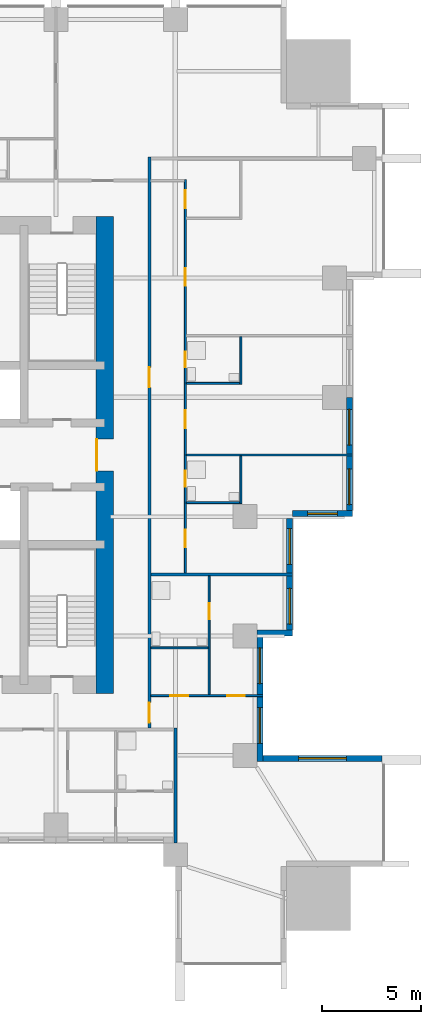
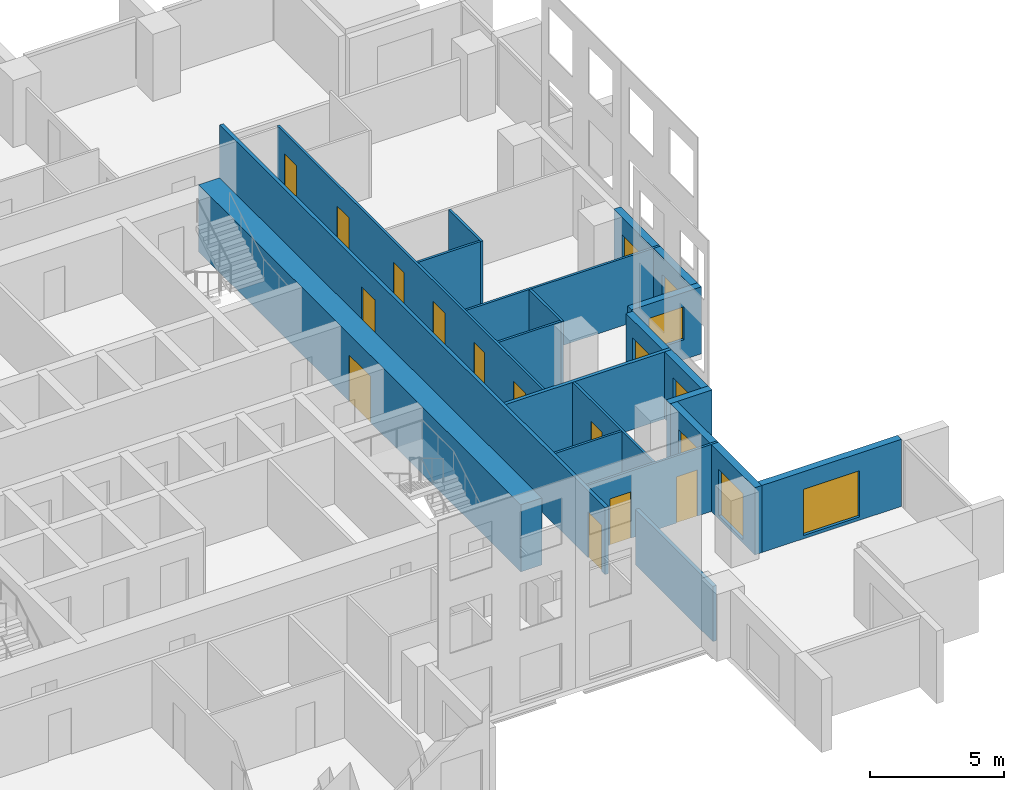
# One storey, part 6 of 11: 19 walls, 12 doors, 8 windows, 20 openings.
"""IFC4 building model written with IfcOpenShell, lengths in metres."""

from ifc_helpers import new_model, si_unit, direction, frame, frame_2d, origin, place, context, subcontext, project, spatial, rectangle, extrude, material, layer, layer_set, type_object, element, fill, save


model = new_model("IFC4")

# Units and contexts
model_context = context("Model", 3, precision=1e-05, world=origin(), true_north=direction((0.0, 1.0)))
body_context = subcontext(model_context, "Body", "Model", "MODEL_VIEW")
ifc_project = project(units=[si_unit("LENGTHUNIT", "METRE"), si_unit("AREAUNIT", "SQUARE_METRE"), si_unit("VOLUMEUNIT", "CUBIC_METRE"), si_unit("PLANEANGLEUNIT", "RADIAN"), si_unit("MASSUNIT", "GRAM", prefix="KILO")], contexts=[model_context])

# Site, building, storey
site_placement = place(None, origin())
site = spatial("IfcSite", under=ifc_project, at=site_placement, CompositionType="ELEMENT")
building_placement = place(site_placement, origin())
building = spatial("IfcBuilding", under=site, at=building_placement, Name="Amberfall Residences", CompositionType="ELEMENT")
storey_placement = place(building_placement, frame((0.0, 0.0, 43.300048828125)))
storey = spatial("IfcBuildingStorey", under=building, at=storey_placement, Name="L11", CompositionType="ELEMENT", Elevation=43.300048828125)

# Wall, opening, window
ifc_material_1 = material(Name="Pale stone cladding on insulated backing", Category="masonry")
ifc_layer_1 = layer(ifc_material_1, 0.300048828125)
ifc_layer_set_1 = layer_set([ifc_layer_1], Name="Bronze clad wall 300")
wall_type_1 = type_object("IfcWallType", Name="Bronze clad wall 300", PredefinedType="SOLIDWALL", material=ifc_layer_set_1)
wall_1_placement = place(storey_placement, frame((100.0, 30.25, 0.0), z_axis=(0.0, 0.0, 1.0), x_axis=(-1.0, 0.0, 0.0)))
wall_1 = element("IfcWall", 1, at=wall_1_placement, inside=storey, type_object=wall_type_1, Name="External wall L11 E", PredefinedType="SOLIDWALL", context=body_context, shape_type="SweptSolid", body=[
    extrude(rectangle(XDim=6.0, YDim=0.300048828125, at=frame_2d((3.0, 0.0))), origin(), (0.0, 0.0, 1.0), 3.050048828125),
])
opening_1_placement = place(wall_1_placement, frame((1.800048828125, 0.0, 0.14990234375)))
opening_1 = element("IfcOpeningElement", 2, at=opening_1_placement, cuts=wall_1, Name="Opening WN5", PredefinedType="OPENING", context=body_context, shape_type="SweptSolid", body=[
    extrude(rectangle(XDim=2.39990234375, YDim=2.10009765625, at=frame_2d((1.199951171875, 1.050048828125))), frame((0.0, 0.159912109375, 0.0), z_axis=(0.0, -1.0, 0.0), x_axis=(1.0, 0.0, 0.0)), (0.0, 0.0, 1.0), 0.320068359375),
])
ifc_material_2 = material(Name="Bronze aluminium framed glazing", Category="aluminium")
window_type_1 = type_object("IfcWindowType", Name="Glazed opening 2400 x 2100 bronze", PartitioningType="DOUBLE_PANEL_VERTICAL", PredefinedType="WINDOW", material=ifc_material_2)
window_1_placement = place(opening_1_placement, origin())
window_1 = element("IfcWindow", 3, at=window_1_placement, inside=storey, type_object=window_type_1, Name="Window L11 E", OverallHeight=2.10009765625, OverallWidth=2.39990234375, PartitioningType="DOUBLE_PANEL_VERTICAL", PredefinedType="WINDOW", context=body_context, shape_type="SweptSolid", body=[
    extrude(rectangle(XDim=2.39990234375, YDim=2.10009765625, at=frame_2d((1.199951171875, 1.050048828125))), frame((0.0, 0.030029296875, 0.0), z_axis=(0.0, -1.0, 0.0), x_axis=(1.0, 0.0, 0.0)), (0.0, 0.0, 1.0), 0.06005859375),
])
fill(opening_1, window_1)

# Wall
wall_2_placement = place(storey_placement, frame((93.699951171875, 36.550048828125, 0.0), z_axis=(0.0, 0.0, 1.0), x_axis=(1.0, 0.0, 0.0)))
element("IfcWall", 4, at=wall_2_placement, inside=storey, type_object=wall_type_1, Name="External wall L11 E", PredefinedType="SOLIDWALL", context=body_context, shape_type="SweptSolid", body=[
    extrude(rectangle(XDim=1.800048828125, YDim=0.300048828125, at=frame_2d((0.89990234375, 0.0))), origin(), (0.0, 0.0, 1.0), 3.050048828125),
])

# Wall, opening, window
wall_3_placement = place(storey_placement, frame((95.5, 42.550048828125, 0.0), z_axis=(0.0, 0.0, 1.0), x_axis=(1.0, 0.0, 0.0)))
wall_3 = element("IfcWall", 5, at=wall_3_placement, inside=storey, type_object=wall_type_1, Name="External wall L11 E", PredefinedType="SOLIDWALL", context=body_context, shape_type="SweptSolid", body=[
    extrude(rectangle(XDim=3.0, YDim=0.300048828125, at=frame_2d((1.5, 0.0))), origin(), (0.0, 0.0, 1.0), 3.050048828125),
])
opening_2_placement = place(wall_3_placement, frame((0.75, 0.0, 0.89990234375)))
opening_2 = element("IfcOpeningElement", 6, at=opening_2_placement, cuts=wall_3, Name="Opening WN1", PredefinedType="OPENING", context=body_context, shape_type="SweptSolid", body=[
    extrude(rectangle(XDim=1.5, YDim=1.5, at=frame_2d((0.75, 0.75))), frame((0.0, 0.159912109375, 0.0), z_axis=(0.0, -1.0, 0.0), x_axis=(1.0, 0.0, 0.0)), (0.0, 0.0, 1.0), 0.320068359375),
])
window_type_2 = type_object("IfcWindowType", Name="Window 1500 x 1500 bronze", PartitioningType="DOUBLE_PANEL_VERTICAL", PredefinedType="WINDOW", material=ifc_material_2)
window_2_placement = place(opening_2_placement, origin())
window_2 = element("IfcWindow", 7, at=window_2_placement, inside=storey, type_object=window_type_2, Name="Window L11 E", OverallHeight=1.5, OverallWidth=1.5, PartitioningType="DOUBLE_PANEL_VERTICAL", PredefinedType="WINDOW", context=body_context, shape_type="SweptSolid", body=[
    extrude(rectangle(XDim=1.5, YDim=1.5, at=frame_2d((0.75, 0.75))), frame((0.0, 0.030029296875, 0.0), z_axis=(0.0, -1.0, 0.0), x_axis=(1.0, 0.0, 0.0)), (0.0, 0.0, 1.0), 0.06005859375),
])
fill(opening_2, window_2)

# Wall, openings, windows
wall_4_placement = place(storey_placement, frame((93.85009765625, 30.10009765625, 0.0), z_axis=(0.0, 0.0, 1.0), x_axis=(0.0, 1.0, 0.0)))
wall_4 = element("IfcWall", 8, at=wall_4_placement, inside=storey, type_object=wall_type_1, Name="Stone wall L11 E", PredefinedType="SOLIDWALL", context=body_context, shape_type="SweptSolid", body=[
    extrude(rectangle(XDim=6.2998046875, YDim=0.300048828125, at=frame_2d((3.14990234375, 0.0))), origin(), (0.0, 0.0, 1.0), 3.050048828125),
])
opening_3_placement = place(wall_4_placement, frame((0.89990234375, 0.0, 0.14990234375)))
opening_3 = element("IfcOpeningElement", 9, at=opening_3_placement, cuts=wall_4, Name="Opening WN6", PredefinedType="OPENING", context=body_context, shape_type="SweptSolid", body=[
    extrude(rectangle(XDim=1.800048828125, YDim=2.10009765625, at=frame_2d((0.89990234375, 1.050048828125))), frame((0.0, 0.159912109375, 0.0), z_axis=(0.0, -1.0, 0.0), x_axis=(1.0, 0.0, 0.0)), (0.0, 0.0, 1.0), 0.320068359375),
])
opening_4_placement = place(wall_4_placement, frame((3.89990234375, 0.0, 0.14990234375)))
opening_4 = element("IfcOpeningElement", 10, at=opening_4_placement, cuts=wall_4, Name="Opening WN6", PredefinedType="OPENING", context=body_context, shape_type="SweptSolid", body=[
    extrude(rectangle(XDim=1.800048828125, YDim=2.10009765625, at=frame_2d((0.89990234375, 1.050048828125))), frame((0.0, 0.159912109375, 0.0), z_axis=(0.0, -1.0, 0.0), x_axis=(1.0, 0.0, 0.0)), (0.0, 0.0, 1.0), 0.320068359375),
])
window_type_3 = type_object("IfcWindowType", Name="Glazed opening 1800 x 2100 bronze", PartitioningType="DOUBLE_PANEL_VERTICAL", PredefinedType="WINDOW", material=ifc_material_2)
window_3_placement = place(opening_3_placement, origin())
window_3 = element("IfcWindow", 11, at=window_3_placement, inside=storey, type_object=window_type_3, Name="Window L11 E", OverallHeight=2.10009765625, OverallWidth=1.800048828125, PartitioningType="DOUBLE_PANEL_VERTICAL", PredefinedType="WINDOW", context=body_context, shape_type="SweptSolid", body=[
    extrude(rectangle(XDim=1.800048828125, YDim=2.10009765625, at=frame_2d((0.89990234375, 1.050048828125))), frame((0.0, 0.030029296875, 0.0), z_axis=(0.0, -1.0, 0.0), x_axis=(1.0, 0.0, 0.0)), (0.0, 0.0, 1.0), 0.06005859375),
])
fill(opening_3, window_3)
window_4_placement = place(opening_4_placement, origin())
window_4 = element("IfcWindow", 12, at=window_4_placement, inside=storey, type_object=window_type_3, Name="Window L11 E", OverallHeight=2.10009765625, OverallWidth=1.800048828125, PartitioningType="DOUBLE_PANEL_VERTICAL", PredefinedType="WINDOW", context=body_context, shape_type="SweptSolid", body=[
    extrude(rectangle(XDim=1.800048828125, YDim=2.10009765625, at=frame_2d((0.89990234375, 1.050048828125))), frame((0.0, 0.030029296875, 0.0), z_axis=(0.0, -1.0, 0.0), x_axis=(1.0, 0.0, 0.0)), (0.0, 0.0, 1.0), 0.06005859375),
])
fill(opening_4, window_4)

wall_5_placement = place(storey_placement, frame((95.35009765625, 36.699951171875, 0.0), z_axis=(0.0, 0.0, 1.0), x_axis=(0.0, 1.0, 0.0)))
wall_5 = element("IfcWall", 13, at=wall_5_placement, inside=storey, type_object=wall_type_1, Name="Stone wall L11 E", PredefinedType="SOLIDWALL", context=body_context, shape_type="SweptSolid", body=[
    extrude(rectangle(XDim=5.610107421875, YDim=0.300048828125, at=frame_2d((2.80517578125, 0.0))), origin(), (0.0, 0.0, 1.0), 3.050048828125),
])
opening_5_placement = place(wall_5_placement, frame((0.300048828125, 0.0, 0.14990234375)))
opening_5 = element("IfcOpeningElement", 14, at=opening_5_placement, cuts=wall_5, Name="Opening WN6", PredefinedType="OPENING", context=body_context, shape_type="SweptSolid", body=[
    extrude(rectangle(XDim=1.800048828125, YDim=2.10009765625, at=frame_2d((0.89990234375, 1.050048828125))), frame((0.0, 0.159912109375, 0.0), z_axis=(0.0, -1.0, 0.0), x_axis=(1.0, 0.0, 0.0)), (0.0, 0.0, 1.0), 0.320068359375),
])
opening_6_placement = place(wall_5_placement, frame((3.300048828125, 0.0, 0.14990234375)))
opening_6 = element("IfcOpeningElement", 15, at=opening_6_placement, cuts=wall_5, Name="Opening WN6", PredefinedType="OPENING", context=body_context, shape_type="SweptSolid", body=[
    extrude(rectangle(XDim=1.800048828125, YDim=2.10009765625, at=frame_2d((0.89990234375, 1.050048828125))), frame((0.0, 0.159912109375, 0.0), z_axis=(0.0, -1.0, 0.0), x_axis=(1.0, 0.0, 0.0)), (0.0, 0.0, 1.0), 0.320068359375),
])
window_5_placement = place(opening_5_placement, origin())
window_5 = element("IfcWindow", 16, at=window_5_placement, inside=storey, type_object=window_type_3, Name="Window L11 E", OverallHeight=2.10009765625, OverallWidth=1.800048828125, PartitioningType="DOUBLE_PANEL_VERTICAL", PredefinedType="WINDOW", context=body_context, shape_type="SweptSolid", body=[
    extrude(rectangle(XDim=1.800048828125, YDim=2.10009765625, at=frame_2d((0.89990234375, 1.050048828125))), frame((0.0, 0.030029296875, 0.0), z_axis=(0.0, -1.0, 0.0), x_axis=(1.0, 0.0, 0.0)), (0.0, 0.0, 1.0), 0.06005859375),
])
fill(opening_5, window_5)
window_6_placement = place(opening_6_placement, origin())
window_6 = element("IfcWindow", 17, at=window_6_placement, inside=storey, type_object=window_type_3, Name="Window L11 E", OverallHeight=2.10009765625, OverallWidth=1.800048828125, PartitioningType="DOUBLE_PANEL_VERTICAL", PredefinedType="WINDOW", context=body_context, shape_type="SweptSolid", body=[
    extrude(rectangle(XDim=1.800048828125, YDim=2.10009765625, at=frame_2d((0.89990234375, 1.050048828125))), frame((0.0, 0.030029296875, 0.0), z_axis=(0.0, -1.0, 0.0), x_axis=(1.0, 0.0, 0.0)), (0.0, 0.0, 1.0), 0.06005859375),
])
fill(opening_6, window_6)

wall_6_placement = place(storey_placement, frame((98.35009765625, 42.699951171875, 0.0), z_axis=(0.0, 0.0, 1.0), x_axis=(0.0, 1.0, 0.0)))
wall_6 = element("IfcWall", 18, at=wall_6_placement, inside=storey, type_object=wall_type_1, Name="Stone wall L11 E", PredefinedType="SOLIDWALL", context=body_context, shape_type="SweptSolid", body=[
    extrude(rectangle(XDim=5.699951171875, YDim=0.300048828125, at=frame_2d((2.85009765625, 0.0))), origin(), (0.0, 0.0, 1.0), 3.050048828125),
])
opening_7_placement = place(wall_6_placement, frame((0.300048828125, 0.0, 0.14990234375)))
opening_7 = element("IfcOpeningElement", 19, at=opening_7_placement, cuts=wall_6, Name="Opening WN6", PredefinedType="OPENING", context=body_context, shape_type="SweptSolid", body=[
    extrude(rectangle(XDim=1.800048828125, YDim=2.10009765625, at=frame_2d((0.89990234375, 1.050048828125))), frame((0.0, 0.159912109375, 0.0), z_axis=(0.0, -1.0, 0.0), x_axis=(1.0, 0.0, 0.0)), (0.0, 0.0, 1.0), 0.320068359375),
])
opening_8_placement = place(wall_6_placement, frame((3.300048828125, 0.0, 0.14990234375)))
opening_8 = element("IfcOpeningElement", 20, at=opening_8_placement, cuts=wall_6, Name="Opening WN6", PredefinedType="OPENING", context=body_context, shape_type="SweptSolid", body=[
    extrude(rectangle(XDim=1.800048828125, YDim=2.10009765625, at=frame_2d((0.89990234375, 1.050048828125))), frame((0.0, 0.159912109375, 0.0), z_axis=(0.0, -1.0, 0.0), x_axis=(1.0, 0.0, 0.0)), (0.0, 0.0, 1.0), 0.320068359375),
])
window_7_placement = place(opening_7_placement, origin())
window_7 = element("IfcWindow", 21, at=window_7_placement, inside=storey, type_object=window_type_3, Name="Window L11 E", OverallHeight=2.10009765625, OverallWidth=1.800048828125, PartitioningType="DOUBLE_PANEL_VERTICAL", PredefinedType="WINDOW", context=body_context, shape_type="SweptSolid", body=[
    extrude(rectangle(XDim=1.800048828125, YDim=2.10009765625, at=frame_2d((0.89990234375, 1.050048828125))), frame((0.0, 0.030029296875, 0.0), z_axis=(0.0, -1.0, 0.0), x_axis=(1.0, 0.0, 0.0)), (0.0, 0.0, 1.0), 0.06005859375),
])
fill(opening_7, window_7)
window_8_placement = place(opening_8_placement, origin())
window_8 = element("IfcWindow", 22, at=window_8_placement, inside=storey, type_object=window_type_3, Name="Window L11 E", OverallHeight=2.10009765625, OverallWidth=1.800048828125, PartitioningType="DOUBLE_PANEL_VERTICAL", PredefinedType="WINDOW", context=body_context, shape_type="SweptSolid", body=[
    extrude(rectangle(XDim=1.800048828125, YDim=2.10009765625, at=frame_2d((0.89990234375, 1.050048828125))), frame((0.0, 0.030029296875, 0.0), z_axis=(0.0, -1.0, 0.0), x_axis=(1.0, 0.0, 0.0)), (0.0, 0.0, 1.0), 0.06005859375),
])
fill(opening_8, window_8)

# Wall, opening, door
ifc_material_3 = material(Name="Concrete C80", Category="concrete")
ifc_layer_2 = layer(ifc_material_3, 0.89990234375)
ifc_layer_set_2 = layer_set([ifc_layer_2], Name="Core wall 900 C80")
wall_type_2 = type_object("IfcWallType", Name="Core wall 900 C80", PredefinedType="SHEAR", material=ifc_layer_set_2)
wall_7_placement = place(storey_placement, frame((86.050048828125, 33.5, 0.0), z_axis=(0.0, 0.0, 1.0), x_axis=(0.0, 1.0, 0.0)))
wall_7 = element("IfcWall", 23, at=wall_7_placement, inside=storey, type_object=wall_type_2, Name="Core wall RW1 L11 OE", PredefinedType="SHEAR", context=body_context, shape_type="SweptSolid", body=[
    extrude(rectangle(XDim=24.0, YDim=0.89990234375, at=frame_2d((12.0, 0.0))), origin(), (0.0, 0.0, 1.0), 3.050048828125),
])
opening_9_placement = place(wall_7_placement, frame((11.199951171875, 0.0, 0.0)))
opening_9 = element("IfcOpeningElement", 24, at=opening_9_placement, cuts=wall_7, Name="Opening LB1", PredefinedType="OPENING", context=body_context, shape_type="SweptSolid", body=[
    extrude(rectangle(XDim=1.60009765625, YDim=2.10009765625, at=frame_2d((0.800048828125, 1.050048828125))), frame((0.0, 0.4599609375, 0.0), z_axis=(0.0, -1.0, 0.0), x_axis=(1.0, 0.0, 0.0)), (0.0, 0.0, 1.0), 0.919921875),
])
ifc_material_4 = material(Name="Steel fire door set", Category="steel")
door_type_1 = type_object("IfcDoorType", Name="Lift lobby double door 1600 x 2100", OperationType="DOUBLE_DOOR_SINGLE_SWING", PredefinedType="DOOR", material=ifc_material_4)
door_1_placement = place(opening_9_placement, origin())
door_1 = element("IfcDoor", 25, at=door_1_placement, inside=storey, type_object=door_type_1, Name="LB1 L11", OperationType="DOUBLE_DOOR_SINGLE_SWING", OverallHeight=2.10009765625, OverallWidth=1.60009765625, PredefinedType="DOOR", context=body_context, shape_type="SweptSolid", body=[
    extrude(rectangle(XDim=1.60009765625, YDim=2.10009765625, at=frame_2d((0.800048828125, 1.050048828125))), frame((0.0, 0.4375, 0.0), z_axis=(0.0, -1.0, 0.0), x_axis=(1.0, 0.0, 0.0)), (0.0, 0.0, 1.0), 0.050048828125),
])
fill(opening_9, door_1)

# Wall, openings, doors
ifc_material_5 = material(Name="Gypsum board on metal stud")
ifc_layer_3 = layer(ifc_material_5, 0.10009765625)
ifc_layer_set_3 = layer_set([ifc_layer_3], Name="Flat partition 100")
wall_type_3 = type_object("IfcWallType", Name="Flat partition 100", PredefinedType="PARTITIONING", material=ifc_layer_set_3)
wall_8_placement = place(storey_placement, frame((90.10009765625, 59.35009765625, 0.0), z_axis=(0.0, 0.0, 1.0), x_axis=(0.0, -1.0, 0.0)))
wall_8 = element("IfcWall", 26, at=wall_8_placement, inside=storey, type_object=wall_type_3, Name="Partition 019", PredefinedType="PARTITIONING", context=body_context, shape_type="SweptSolid", body=[
    extrude(rectangle(XDim=19.775146484375, YDim=0.10009765625, at=frame_2d((9.8876953125, 0.0))), origin(), (0.0, 0.0, 1.0), 3.050048828125),
])
opening_10_placement = place(wall_8_placement, frame((4.449951171875, 0.0, 0.0)))
opening_10 = element("IfcOpeningElement", 27, at=opening_10_placement, cuts=wall_8, Name="Opening D41", PredefinedType="OPENING", context=body_context, shape_type="SweptSolid", body=[
    extrude(rectangle(XDim=0.89990234375, YDim=2.10009765625, at=frame_2d((0.449951171875, 1.050048828125))), frame((0.0, 0.06005859375, 0.0), z_axis=(0.0, -1.0, 0.0), x_axis=(1.0, 0.0, 0.0)), (0.0, 0.0, 1.0), 0.1201171875),
])
opening_11_placement = place(wall_8_placement, frame((0.550048828125, 0.0, 0.0)))
opening_11 = element("IfcOpeningElement", 28, at=opening_11_placement, cuts=wall_8, Name="Opening D41", PredefinedType="OPENING", context=body_context, shape_type="SweptSolid", body=[
    extrude(rectangle(XDim=0.89990234375, YDim=2.10009765625, at=frame_2d((0.449951171875, 1.050048828125))), frame((0.0, 0.06005859375, 0.0), z_axis=(0.0, -1.0, 0.0), x_axis=(1.0, 0.0, 0.0)), (0.0, 0.0, 1.0), 0.1201171875),
])
opening_12_placement = place(wall_8_placement, frame((17.60009765625, 0.0, 0.0)))
opening_12 = element("IfcOpeningElement", 29, at=opening_12_placement, cuts=wall_8, Name="Opening D41", PredefinedType="OPENING", context=body_context, shape_type="SweptSolid", body=[
    extrude(rectangle(XDim=0.89990234375, YDim=2.10009765625, at=frame_2d((0.449951171875, 1.050048828125))), frame((0.0, 0.06005859375, 0.0), z_axis=(0.0, -1.0, 0.0), x_axis=(1.0, 0.0, 0.0)), (0.0, 0.0, 1.0), 0.1201171875),
])
opening_13_placement = place(wall_8_placement, frame((11.60009765625, 0.0, 0.0)))
opening_13 = element("IfcOpeningElement", 30, at=opening_13_placement, cuts=wall_8, Name="Opening D41", PredefinedType="OPENING", context=body_context, shape_type="SweptSolid", body=[
    extrude(rectangle(XDim=0.89990234375, YDim=2.10009765625, at=frame_2d((0.449951171875, 1.050048828125))), frame((0.0, 0.06005859375, 0.0), z_axis=(0.0, -1.0, 0.0), x_axis=(1.0, 0.0, 0.0)), (0.0, 0.0, 1.0), 0.1201171875),
])
opening_14_placement = place(wall_8_placement, frame((14.64990234375, 0.0, 0.0)))
opening_14 = element("IfcOpeningElement", 31, at=opening_14_placement, cuts=wall_8, Name="Opening D42", PredefinedType="OPENING", context=body_context, shape_type="SweptSolid", body=[
    extrude(rectangle(XDim=0.800048828125, YDim=2.10009765625, at=frame_2d((0.39990234375, 1.050048828125))), frame((0.0, 0.06005859375, 0.0), z_axis=(0.0, -1.0, 0.0), x_axis=(1.0, 0.0, 0.0)), (0.0, 0.0, 1.0), 0.1201171875),
])
opening_15_placement = place(wall_8_placement, frame((8.64990234375, 0.0, 0.0)))
opening_15 = element("IfcOpeningElement", 32, at=opening_15_placement, cuts=wall_8, Name="Opening D42", PredefinedType="OPENING", context=body_context, shape_type="SweptSolid", body=[
    extrude(rectangle(XDim=0.800048828125, YDim=2.10009765625, at=frame_2d((0.39990234375, 1.050048828125))), frame((0.0, 0.06005859375, 0.0), z_axis=(0.0, -1.0, 0.0), x_axis=(1.0, 0.0, 0.0)), (0.0, 0.0, 1.0), 0.1201171875),
])
ifc_material_6 = material(Name="Timber", Category="wood")
door_type_2 = type_object("IfcDoorType", Name="Bathroom door 800 x 2100", OperationType="SINGLE_SWING_LEFT", PredefinedType="DOOR", material=ifc_material_6)
door_2_placement = place(opening_14_placement, origin())
door_2 = element("IfcDoor", 33, at=door_2_placement, inside=storey, type_object=door_type_2, Name="Door 1104 bath1", OperationType="SINGLE_SWING_LEFT", OverallHeight=2.10009765625, OverallWidth=0.800048828125, PredefinedType="DOOR", context=body_context, shape_type="SweptSolid", body=[
    extrude(rectangle(XDim=0.800048828125, YDim=2.10009765625, at=frame_2d((0.39990234375, 1.050048828125))), frame((0.0, 0.02490234375, 0.0), z_axis=(0.0, -1.0, 0.0), x_axis=(1.0, 0.0, 0.0)), (0.0, 0.0, 1.0), 0.050048828125),
])
fill(opening_14, door_2)
door_3_placement = place(opening_15_placement, origin())
door_3 = element("IfcDoor", 34, at=door_3_placement, inside=storey, type_object=door_type_2, Name="Door 1104 bath2", OperationType="SINGLE_SWING_LEFT", OverallHeight=2.10009765625, OverallWidth=0.800048828125, PredefinedType="DOOR", context=body_context, shape_type="SweptSolid", body=[
    extrude(rectangle(XDim=0.800048828125, YDim=2.10009765625, at=frame_2d((0.39990234375, 1.050048828125))), frame((0.0, 0.02490234375, 0.0), z_axis=(0.0, -1.0, 0.0), x_axis=(1.0, 0.0, 0.0)), (0.0, 0.0, 1.0), 0.050048828125),
])
fill(opening_15, door_3)
door_type_3 = type_object("IfcDoorType", Name="Internal door 900 x 2100", OperationType="SINGLE_SWING_LEFT", PredefinedType="DOOR", material=ifc_material_6)
door_4_placement = place(opening_10_placement, origin())
door_4 = element("IfcDoor", 35, at=door_4_placement, inside=storey, type_object=door_type_3, Name="Door 1104 living", OperationType="SINGLE_SWING_LEFT", OverallHeight=2.10009765625, OverallWidth=0.89990234375, PredefinedType="DOOR", context=body_context, shape_type="SweptSolid", body=[
    extrude(rectangle(XDim=0.89990234375, YDim=2.10009765625, at=frame_2d((0.449951171875, 1.050048828125))), frame((0.0, 0.02490234375, 0.0), z_axis=(0.0, -1.0, 0.0), x_axis=(1.0, 0.0, 0.0)), (0.0, 0.0, 1.0), 0.050048828125),
])
fill(opening_10, door_4)
door_5_placement = place(opening_11_placement, origin())
door_5 = element("IfcDoor", 36, at=door_5_placement, inside=storey, type_object=door_type_3, Name="Door 1104 kitchen", OperationType="SINGLE_SWING_LEFT", OverallHeight=2.10009765625, OverallWidth=0.89990234375, PredefinedType="DOOR", context=body_context, shape_type="SweptSolid", body=[
    extrude(rectangle(XDim=0.89990234375, YDim=2.10009765625, at=frame_2d((0.449951171875, 1.050048828125))), frame((0.0, 0.02490234375, 0.0), z_axis=(0.0, -1.0, 0.0), x_axis=(1.0, 0.0, 0.0)), (0.0, 0.0, 1.0), 0.050048828125),
])
fill(opening_11, door_5)
door_6_placement = place(opening_12_placement, origin())
door_6 = element("IfcDoor", 37, at=door_6_placement, inside=storey, type_object=door_type_3, Name="Door 1104 bedroom1", OperationType="SINGLE_SWING_LEFT", OverallHeight=2.10009765625, OverallWidth=0.89990234375, PredefinedType="DOOR", context=body_context, shape_type="SweptSolid", body=[
    extrude(rectangle(XDim=0.89990234375, YDim=2.10009765625, at=frame_2d((0.449951171875, 1.050048828125))), frame((0.0, 0.02490234375, 0.0), z_axis=(0.0, -1.0, 0.0), x_axis=(1.0, 0.0, 0.0)), (0.0, 0.0, 1.0), 0.050048828125),
])
fill(opening_12, door_6)
door_7_placement = place(opening_13_placement, origin())
door_7 = element("IfcDoor", 38, at=door_7_placement, inside=storey, type_object=door_type_3, Name="Door 1104 bedroom2", OperationType="SINGLE_SWING_LEFT", OverallHeight=2.10009765625, OverallWidth=0.89990234375, PredefinedType="DOOR", context=body_context, shape_type="SweptSolid", body=[
    extrude(rectangle(XDim=0.89990234375, YDim=2.10009765625, at=frame_2d((0.449951171875, 1.050048828125))), frame((0.0, 0.02490234375, 0.0), z_axis=(0.0, -1.0, 0.0), x_axis=(1.0, 0.0, 0.0)), (0.0, 0.0, 1.0), 0.050048828125),
])
fill(opening_13, door_7)

# Wall, opening, door
wall_9_placement = place(storey_placement, frame((91.300048828125, 33.449951171875, 0.0), z_axis=(0.0, 0.0, 1.0), x_axis=(0.0, 1.0, 0.0)))
wall_9 = element("IfcWall", 39, at=wall_9_placement, inside=storey, type_object=wall_type_3, Name="Partition 020", PredefinedType="PARTITIONING", context=body_context, shape_type="SweptSolid", body=[
    extrude(rectangle(XDim=5.97509765625, YDim=0.10009765625, at=frame_2d((2.987548828125, 0.0))), origin(), (0.0, 0.0, 1.0), 3.050048828125),
])
opening_16_placement = place(wall_9_placement, frame((3.800048828125, 0.0, 0.0)))
opening_16 = element("IfcOpeningElement", 40, at=opening_16_placement, cuts=wall_9, Name="Opening D42", PredefinedType="OPENING", context=body_context, shape_type="SweptSolid", body=[
    extrude(rectangle(XDim=0.800048828125, YDim=2.10009765625, at=frame_2d((0.39990234375, 1.050048828125))), frame((0.0, 0.06005859375, 0.0), z_axis=(0.0, -1.0, 0.0), x_axis=(1.0, 0.0, 0.0)), (0.0, 0.0, 1.0), 0.1201171875),
])
door_8_placement = place(opening_16_placement, origin())
door_8 = element("IfcDoor", 41, at=door_8_placement, inside=storey, type_object=door_type_2, Name="Door 1103 bath1", OperationType="SINGLE_SWING_LEFT", OverallHeight=2.10009765625, OverallWidth=0.800048828125, PredefinedType="DOOR", context=body_context, shape_type="SweptSolid", body=[
    extrude(rectangle(XDim=0.800048828125, YDim=2.10009765625, at=frame_2d((0.39990234375, 1.050048828125))), frame((0.0, 0.02490234375, 0.0), z_axis=(0.0, -1.0, 0.0), x_axis=(1.0, 0.0, 0.0)), (0.0, 0.0, 1.0), 0.050048828125),
])
fill(opening_16, door_8)

# Walls
for number, where, z_axis, x_axis, name in (
    (42, (92.89990234375, 43.050048828125, 0.0), (0.0, 0.0, 1.0), (0.0, 1.0, 0.0), "Partition 021"),
    (43, (92.89990234375, 49.050048828125, 0.0), (0.0, 0.0, 1.0), (0.0, 1.0, 0.0), "Partition 022"),
):
    element("IfcWall", number, at=place(storey_placement, frame(where, z_axis=z_axis, x_axis=x_axis)), inside=storey, type_object=wall_type_3, Name=name, PredefinedType="PARTITIONING", context=body_context, shape_type="SweptSolid", body=[
        extrude(rectangle(XDim=2.39990234375, YDim=0.10009765625, at=frame_2d((1.199951171875, 0.0))), origin(), (0.0, 0.0, 1.0), 3.050048828125),
    ])
wall_10_placement = place(storey_placement, frame((90.14990234375, 49.10009765625, 0.0), z_axis=(0.0, 0.0, 1.0), x_axis=(1.0, 0.0, 0.0)))
element("IfcWall", 44, at=wall_10_placement, inside=storey, type_object=wall_type_3, Name="Partition 034", PredefinedType="PARTITIONING", context=body_context, shape_type="SweptSolid", body=[
    extrude(rectangle(XDim=2.7001953125, YDim=0.10009765625, at=frame_2d((1.35009765625, 0.0))), origin(), (0.0, 0.0, 1.0), 3.050048828125),
])
wall_11_placement = place(storey_placement, frame((90.14990234375, 45.5, 0.0), z_axis=(0.0, 0.0, 1.0), x_axis=(1.0, 0.0, 0.0)))
element("IfcWall", 45, at=wall_11_placement, inside=storey, type_object=wall_type_3, Name="Partition 035", PredefinedType="PARTITIONING", context=body_context, shape_type="SweptSolid", body=[
    extrude(rectangle(XDim=8.35009765625, YDim=0.10009765625, at=frame_2d((4.175048828125, 0.0))), origin(), (0.0, 0.0, 1.0), 3.050048828125),
])
wall_12_placement = place(storey_placement, frame((90.14990234375, 43.10009765625, 0.0), z_axis=(0.0, 0.0, 1.0), x_axis=(1.0, 0.0, 0.0)))
element("IfcWall", 46, at=wall_12_placement, inside=storey, type_object=wall_type_3, Name="Partition 037", PredefinedType="PARTITIONING", context=body_context, shape_type="SweptSolid", body=[
    extrude(rectangle(XDim=2.7001953125, YDim=0.10009765625, at=frame_2d((1.35009765625, 0.0))), origin(), (0.0, 0.0, 1.0), 3.050048828125),
])
wall_13_placement = place(storey_placement, frame((88.375, 35.800048828125, 0.0), z_axis=(0.0, 0.0, 1.0), x_axis=(1.0, 0.0, 0.0)))
element("IfcWall", 47, at=wall_13_placement, inside=storey, type_object=wall_type_3, Name="Partition 041", PredefinedType="PARTITIONING", context=body_context, shape_type="SweptSolid", body=[
    extrude(rectangle(XDim=2.875, YDim=0.10009765625, at=frame_2d((1.4375, 0.0))), origin(), (0.0, 0.0, 1.0), 3.050048828125),
])

# Wall, openings, doors
wall_14_placement = place(storey_placement, frame((88.375, 33.39990234375, 0.0), z_axis=(0.0, 0.0, 1.0), x_axis=(1.0, 0.0, 0.0)))
wall_14 = element("IfcWall", 48, at=wall_14_placement, inside=storey, type_object=wall_type_3, Name="Partition 042", PredefinedType="PARTITIONING", context=body_context, shape_type="SweptSolid", body=[
    extrude(rectangle(XDim=5.625, YDim=0.10009765625, at=frame_2d((2.8125, 0.0))), origin(), (0.0, 0.0, 1.0), 3.050048828125),
])
opening_17_placement = place(wall_14_placement, frame((0.97509765625, 0.0, 0.0)))
opening_17 = element("IfcOpeningElement", 49, at=opening_17_placement, cuts=wall_14, Name="Opening D41", PredefinedType="OPENING", context=body_context, shape_type="SweptSolid", body=[
    extrude(rectangle(XDim=0.89990234375, YDim=2.10009765625, at=frame_2d((0.449951171875, 1.050048828125))), frame((0.0, 0.06005859375, 0.0), z_axis=(0.0, -1.0, 0.0), x_axis=(1.0, 0.0, 0.0)), (0.0, 0.0, 1.0), 0.1201171875),
])
opening_18_placement = place(wall_14_placement, frame((3.824951171875, 0.0, 0.0)))
opening_18 = element("IfcOpeningElement", 50, at=opening_18_placement, cuts=wall_14, Name="Opening D41", PredefinedType="OPENING", context=body_context, shape_type="SweptSolid", body=[
    extrude(rectangle(XDim=0.89990234375, YDim=2.10009765625, at=frame_2d((0.449951171875, 1.050048828125))), frame((0.0, 0.06005859375, 0.0), z_axis=(0.0, -1.0, 0.0), x_axis=(1.0, 0.0, 0.0)), (0.0, 0.0, 1.0), 0.1201171875),
])
door_9_placement = place(opening_17_placement, origin())
door_9 = element("IfcDoor", 51, at=door_9_placement, inside=storey, type_object=door_type_3, Name="Door 1103 kitchen", OperationType="SINGLE_SWING_LEFT", OverallHeight=2.10009765625, OverallWidth=0.89990234375, PredefinedType="DOOR", context=body_context, shape_type="SweptSolid", body=[
    extrude(rectangle(XDim=0.89990234375, YDim=2.10009765625, at=frame_2d((0.449951171875, 1.050048828125))), frame((0.0, 0.02490234375, 0.0), z_axis=(0.0, -1.0, 0.0), x_axis=(1.0, 0.0, 0.0)), (0.0, 0.0, 1.0), 0.050048828125),
])
fill(opening_17, door_9)
door_10_placement = place(opening_18_placement, origin())
door_10 = element("IfcDoor", 52, at=door_10_placement, inside=storey, type_object=door_type_3, Name="Door 1103 bedroom1", OperationType="SINGLE_SWING_LEFT", OverallHeight=2.10009765625, OverallWidth=0.89990234375, PredefinedType="DOOR", context=body_context, shape_type="SweptSolid", body=[
    extrude(rectangle(XDim=0.89990234375, YDim=2.10009765625, at=frame_2d((0.449951171875, 1.050048828125))), frame((0.0, 0.02490234375, 0.0), z_axis=(0.0, -1.0, 0.0), x_axis=(1.0, 0.0, 0.0)), (0.0, 0.0, 1.0), 0.050048828125),
])
fill(opening_18, door_10)

ifc_material_7 = material(Name="Blockwork, plastered", Category="masonry")
ifc_layer_4 = layer(ifc_material_7, 0.14990234375)
ifc_layer_set_4 = layer_set([ifc_layer_4], Name="Flat separating wall 150")
wall_type_4 = type_object("IfcWallType", Name="Flat separating wall 150", PredefinedType="PARTITIONING", material=ifc_layer_set_4)
wall_15_placement = place(storey_placement, frame((88.300048828125, 60.47509765625, 0.0), z_axis=(0.0, 0.0, 1.0), x_axis=(0.0, -1.0, 0.0)))
wall_15 = element("IfcWall", 53, at=wall_15_placement, inside=storey, type_object=wall_type_4, Name="Separating wall 051", PredefinedType="PARTITIONING", context=body_context, shape_type="SweptSolid", body=[
    extrude(rectangle(XDim=28.7001953125, YDim=0.14990234375, at=frame_2d((14.35009765625, 0.0))), origin(), (0.0, 0.0, 1.0), 3.050048828125),
])
opening_19_placement = place(wall_15_placement, frame((27.425048828125, 0.0, 0.0)))
opening_19 = element("IfcOpeningElement", 54, at=opening_19_placement, cuts=wall_15, Name="Opening D40", PredefinedType="OPENING", context=body_context, shape_type="SweptSolid", body=[
    extrude(rectangle(XDim=1.0, YDim=2.10009765625, at=frame_2d((0.5, 1.050048828125))), frame((0.0, 0.0849609375, 0.0), z_axis=(0.0, -1.0, 0.0), x_axis=(1.0, 0.0, 0.0)), (0.0, 0.0, 1.0), 0.169921875),
])
opening_20_placement = place(wall_15_placement, frame((10.574951171875, 0.0, 0.0)))
opening_20 = element("IfcOpeningElement", 55, at=opening_20_placement, cuts=wall_15, Name="Opening D40", PredefinedType="OPENING", context=body_context, shape_type="SweptSolid", body=[
    extrude(rectangle(XDim=1.0, YDim=2.10009765625, at=frame_2d((0.5, 1.050048828125))), frame((0.0, 0.0849609375, 0.0), z_axis=(0.0, -1.0, 0.0), x_axis=(1.0, 0.0, 0.0)), (0.0, 0.0, 1.0), 0.169921875),
])
ifc_material_8 = material(Name="Timber, fire-rated", Category="wood")
door_type_4 = type_object("IfcDoorType", Name="Flat entrance door FD60 1000 x 2100", OperationType="SINGLE_SWING_LEFT", PredefinedType="DOOR", material=ifc_material_8)
door_11_placement = place(opening_19_placement, origin())
door_11 = element("IfcDoor", 56, at=door_11_placement, inside=storey, type_object=door_type_4, Name="Door 1103 entrance", OperationType="SINGLE_SWING_LEFT", OverallHeight=2.10009765625, OverallWidth=1.0, PredefinedType="DOOR", context=body_context, shape_type="SweptSolid", body=[
    extrude(rectangle(XDim=1.0, YDim=2.10009765625, at=frame_2d((0.5, 1.050048828125))), frame((0.0, 0.02490234375, 0.0), z_axis=(0.0, -1.0, 0.0), x_axis=(1.0, 0.0, 0.0)), (0.0, 0.0, 1.0), 0.050048828125),
])
fill(opening_19, door_11)
door_12_placement = place(opening_20_placement, origin())
door_12 = element("IfcDoor", 57, at=door_12_placement, inside=storey, type_object=door_type_4, Name="Door 1104 entrance", OperationType="SINGLE_SWING_LEFT", OverallHeight=2.10009765625, OverallWidth=1.0, PredefinedType="DOOR", context=body_context, shape_type="SweptSolid", body=[
    extrude(rectangle(XDim=1.0, YDim=2.10009765625, at=frame_2d((0.5, 1.050048828125))), frame((0.0, 0.02490234375, 0.0), z_axis=(0.0, -1.0, 0.0), x_axis=(1.0, 0.0, 0.0)), (0.0, 0.0, 1.0), 0.050048828125),
])
fill(opening_20, door_12)

# Walls
wall_16_placement = place(storey_placement, frame((89.60009765625, 26.0, 0.0), z_axis=(0.0, 0.0, 1.0), x_axis=(0.0, 1.0, 0.0)))
element("IfcWall", 58, at=wall_16_placement, inside=storey, type_object=wall_type_4, Name="Separating wall 052", PredefinedType="PARTITIONING", context=body_context, shape_type="SweptSolid", body=[
    extrude(rectangle(XDim=5.77490234375, YDim=0.14990234375, at=frame_2d((2.887451171875, 0.0))), origin(), (0.0, 0.0, 1.0), 2.515869140625),
])
wall_17_placement = place(storey_placement, frame((88.375, 39.5, 0.0), z_axis=(0.0, 0.0, 1.0), x_axis=(1.0, 0.0, 0.0)))
element("IfcWall", 59, at=wall_17_placement, inside=storey, type_object=wall_type_4, Name="Separating wall 056", PredefinedType="PARTITIONING", context=body_context, shape_type="SweptSolid", body=[
    extrude(rectangle(XDim=7.125, YDim=0.14990234375, at=frame_2d((3.5625, 0.0))), origin(), (0.0, 0.0, 1.0), 3.050048828125),
])

save(model, "model.ifc")
